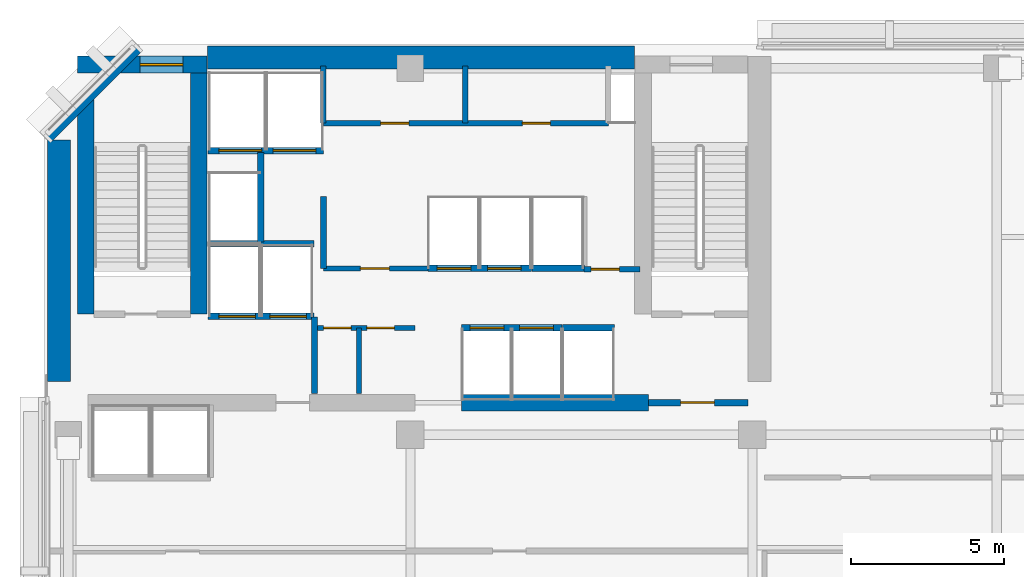
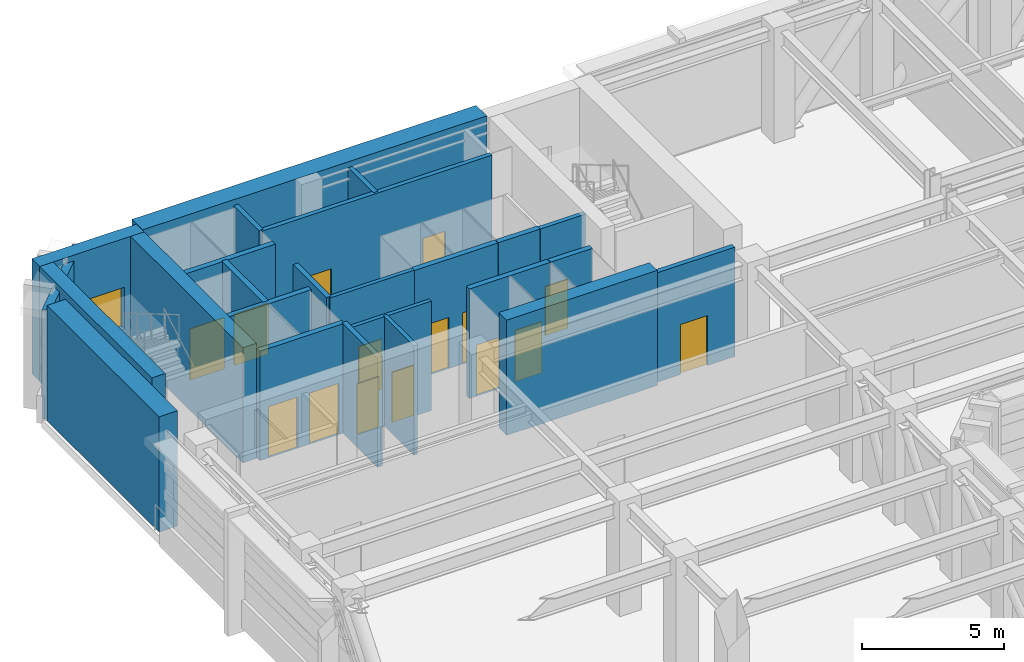
# One storey, part 7 of 12: 25 walls, 15 doors, 1 window, 16 openings.
"""IFC4 building model written with IfcOpenShell, lengths in metres."""

from ifc_helpers import new_model, si_unit, direction, frame, frame_2d, origin, place, context, subcontext, project, spatial, rectangle, extrude, material, layer, layer_set, type_object, element, fill, save


model = new_model("IFC4")

# Units and contexts
model_context = context("Model", 3, precision=1e-05, world=origin(), true_north=direction((0.0, 1.0)))
body_context = subcontext(model_context, "Body", "Model", "MODEL_VIEW")
ifc_project = project(units=[si_unit("LENGTHUNIT", "METRE"), si_unit("AREAUNIT", "SQUARE_METRE"), si_unit("VOLUMEUNIT", "CUBIC_METRE"), si_unit("PLANEANGLEUNIT", "RADIAN"), si_unit("MASSUNIT", "GRAM", prefix="KILO")], contexts=[model_context])

# Site, building, storey
site_placement = place(None, origin())
site = spatial("IfcSite", under=ifc_project, at=site_placement, CompositionType="ELEMENT")
building_placement = place(site_placement, origin())
building = spatial("IfcBuilding", under=site, at=building_placement, Name="Kefirva Bronze Tower", CompositionType="ELEMENT")
storey_placement = place(building_placement, frame((0.0, 0.0, 174.570068359375)))
storey = spatial("IfcBuildingStorey", under=building, at=storey_placement, Name="L42", CompositionType="ELEMENT", Elevation=174.570068359375)

# Wall, openings, doors
ifc_material_1 = material(Name="Gypsum fireboard shaftwall")
ifc_layer_1 = layer(ifc_material_1, 0.219970703125, Name="Gypsum fireboard shaftwall")
ifc_layer_set_1 = layer_set([ifc_layer_1], Name="Gypsum fireboard shaftwall")
wall_type_1 = type_object("IfcWallType", Name="Fire-Rated Shaft Enclosure Wall 220mm", PredefinedType="PARTITIONING", material=ifc_layer_set_1)
wall_1_placement = place(storey_placement, frame((5.3798828125, 37.080078125, 0.0), z_axis=(0.0, 0.0, 1.0), x_axis=(1.0, 0.0, 0.0)))
wall_1 = element("IfcWall", 1, at=wall_1_placement, inside=storey, type_object=wall_type_1, Name="L42 Partition W-L42-FFS", PredefinedType="PARTITIONING", context=body_context, shape_type="SweptSolid", body=[
    extrude(rectangle(XDim=3.460205078125, YDim=0.219970703125, at=frame_2d((1.72998046875, 0.0))), origin(), (0.0, 0.0, 1.0), 4.699951171875),
])
opening_1_placement = place(wall_1_placement, frame((1.550048828125, 0.0, 0.0), z_axis=(0.0, 0.0, 1.0), x_axis=(-1.0, 0.0, 0.0)))
opening_1 = element("IfcOpeningElement", 2, at=opening_1_placement, cuts=wall_1, Name="Opening L42-LD-FF1", PredefinedType="OPENING", context=body_context, shape_type="SweptSolid", body=[
    extrude(rectangle(XDim=1.199951171875, YDim=2.199951171875, at=frame_2d((0.60009765625, 1.10009765625))), frame((0.0, 0.1201171875, 0.0), z_axis=(0.0, -1.0, 0.0), x_axis=(1.0, 0.0, 0.0)), (0.0, 0.0, 1.0), 0.239990234375),
])
opening_2_placement = place(wall_1_placement, frame((3.219970703125, 0.0, 0.0), z_axis=(0.0, 0.0, 1.0), x_axis=(-1.0, 0.0, 0.0)))
opening_2 = element("IfcOpeningElement", 3, at=opening_2_placement, cuts=wall_1, Name="Opening L42-LD-FF2", PredefinedType="OPENING", context=body_context, shape_type="SweptSolid", body=[
    extrude(rectangle(XDim=1.199951171875, YDim=2.199951171875, at=frame_2d((0.60009765625, 1.10009765625))), frame((0.0, 0.1201171875, 0.0), z_axis=(0.0, -1.0, 0.0), x_axis=(1.0, 0.0, 0.0)), (0.0, 0.0, 1.0), 0.239990234375),
])
ifc_material_2 = material(Name="Stainless steel 316", Category="steel")
door_type_1 = type_object("IfcDoorType", Name="Firefighting Lift Sliding Door 1200x2200", OperationType="SLIDING_TO_RIGHT", PredefinedType="DOOR", material=ifc_material_2)
door_1_placement = place(opening_1_placement, origin())
door_1 = element("IfcDoor", 4, at=door_1_placement, inside=storey, type_object=door_type_1, Name="Door L42-LD-FF1", OperationType="SLIDING_TO_RIGHT", OverallHeight=2.199951171875, OverallWidth=1.199951171875, PredefinedType="DOOR", context=body_context, shape_type="SweptSolid", body=[
    extrude(rectangle(XDim=1.199951171875, YDim=2.199951171875, at=frame_2d((0.60009765625, 1.10009765625))), frame((0.0, 0.02490234375, 0.0), z_axis=(0.0, -1.0, 0.0), x_axis=(1.0, 0.0, 0.0)), (0.0, 0.0, 1.0), 0.050048828125),
])
fill(opening_1, door_1)
door_2_placement = place(opening_2_placement, origin())
door_2 = element("IfcDoor", 5, at=door_2_placement, inside=storey, type_object=door_type_1, Name="Door L42-LD-FF2", OperationType="SLIDING_TO_RIGHT", OverallHeight=2.199951171875, OverallWidth=1.199951171875, PredefinedType="DOOR", context=body_context, shape_type="SweptSolid", body=[
    extrude(rectangle(XDim=1.199951171875, YDim=2.199951171875, at=frame_2d((0.60009765625, 1.10009765625))), frame((0.0, 0.02490234375, 0.0), z_axis=(0.0, -1.0, 0.0), x_axis=(1.0, 0.0, 0.0)), (0.0, 0.0, 1.0), 0.050048828125),
])
fill(opening_2, door_2)

# Wall
wall_2_placement = place(storey_placement, frame((5.3798828125, 39.449951171875, 0.0), z_axis=(0.0, 0.0, 1.0), x_axis=(1.0, 0.0, 0.0)))
element("IfcWall", 6, at=wall_2_placement, inside=storey, type_object=wall_type_1, Name="L42 Partition W-L42-FFN", PredefinedType="PARTITIONING", context=body_context, shape_type="SweptSolid", body=[
    extrude(rectangle(XDim=3.460205078125, YDim=0.219970703125, at=frame_2d((1.72998046875, 0.0))), origin(), (0.0, 0.0, 1.0), 4.699951171875),
])

# Wall, openings, doors
wall_3_placement = place(storey_placement, frame((5.3798828125, 42.5, 0.0), z_axis=(0.0, 0.0, 1.0), x_axis=(1.0, 0.0, 0.0)))
wall_3 = element("IfcWall", 7, at=wall_3_placement, inside=storey, type_object=wall_type_1, Name="L42 Partition W-L42-SVS", PredefinedType="PARTITIONING", context=body_context, shape_type="SweptSolid", body=[
    extrude(rectangle(XDim=3.77001953125, YDim=0.219970703125, at=frame_2d((1.885009765625, 0.0))), origin(), (0.0, 0.0, 1.0), 4.699951171875),
])
opening_3_placement = place(wall_3_placement, frame((1.75, 0.0, 0.0), z_axis=(0.0, 0.0, 1.0), x_axis=(-1.0, 0.0, 0.0)))
opening_3 = element("IfcOpeningElement", 8, at=opening_3_placement, cuts=wall_3, Name="Opening L42-LD-SV1", PredefinedType="OPENING", context=body_context, shape_type="SweptSolid", body=[
    extrude(rectangle(XDim=1.39990234375, YDim=2.199951171875, at=frame_2d((0.699951171875, 1.10009765625))), frame((0.0, 0.1201171875, 0.0), z_axis=(0.0, -1.0, 0.0), x_axis=(1.0, 0.0, 0.0)), (0.0, 0.0, 1.0), 0.239990234375),
])
opening_4_placement = place(wall_3_placement, frame((3.52978515625, 0.0, 0.0), z_axis=(0.0, 0.0, 1.0), x_axis=(-1.0, 0.0, 0.0)))
opening_4 = element("IfcOpeningElement", 9, at=opening_4_placement, cuts=wall_3, Name="Opening L42-LD-SV2", PredefinedType="OPENING", context=body_context, shape_type="SweptSolid", body=[
    extrude(rectangle(XDim=1.39990234375, YDim=2.199951171875, at=frame_2d((0.699951171875, 1.10009765625))), frame((0.0, 0.1201171875, 0.0), z_axis=(0.0, -1.0, 0.0), x_axis=(1.0, 0.0, 0.0)), (0.0, 0.0, 1.0), 0.239990234375),
])
door_type_2 = type_object("IfcDoorType", Name="Goods Lift Bi-Parting Sliding Door 1400x2200", OperationType="SLIDING_TO_LEFT", PredefinedType="DOOR", material=ifc_material_2)
door_3_placement = place(opening_3_placement, origin())
door_3 = element("IfcDoor", 10, at=door_3_placement, inside=storey, type_object=door_type_2, Name="Door L42-LD-SV1", OperationType="SLIDING_TO_LEFT", OverallHeight=2.199951171875, OverallWidth=1.39990234375, PredefinedType="DOOR", context=body_context, shape_type="SweptSolid", body=[
    extrude(rectangle(XDim=1.39990234375, YDim=2.199951171875, at=frame_2d((0.699951171875, 1.10009765625))), frame((0.0, 0.02490234375, 0.0), z_axis=(0.0, -1.0, 0.0), x_axis=(1.0, 0.0, 0.0)), (0.0, 0.0, 1.0), 0.050048828125),
])
fill(opening_3, door_3)
door_4_placement = place(opening_4_placement, origin())
door_4 = element("IfcDoor", 11, at=door_4_placement, inside=storey, type_object=door_type_2, Name="Door L42-LD-SV2", OperationType="SLIDING_TO_LEFT", OverallHeight=2.199951171875, OverallWidth=1.39990234375, PredefinedType="DOOR", context=body_context, shape_type="SweptSolid", body=[
    extrude(rectangle(XDim=1.39990234375, YDim=2.199951171875, at=frame_2d((0.699951171875, 1.10009765625))), frame((0.0, 0.02490234375, 0.0), z_axis=(0.0, -1.0, 0.0), x_axis=(1.0, 0.0, 0.0)), (0.0, 0.0, 1.0), 0.050048828125),
])
fill(opening_4, door_4)

# Walls
wall_4_placement = place(storey_placement, frame((7.10009765625, 39.52001953125, 0.0), z_axis=(0.0, 0.0, 1.0), x_axis=(0.0, 1.0, 0.0)))
element("IfcWall", 12, at=wall_4_placement, inside=storey, type_object=wall_type_1, Name="L42 Partition W-L42-HP3E", PredefinedType="PARTITIONING", context=body_context, shape_type="SweptSolid", body=[
    extrude(rectangle(XDim=2.929931640625, YDim=0.219970703125, at=frame_2d((1.46484375, 0.0))), origin(), (0.0, 0.0, 1.0), 4.699951171875),
])
wall_5_placement = place(storey_placement, frame((9.159912109375, 38.64990234375, 0.0), z_axis=(0.0, 0.0, 1.0), x_axis=(0.0, 1.0, 0.0)))
element("IfcWall", 13, at=wall_5_placement, inside=storey, type_object=wall_type_1, Name="L42 Partition W-L42-LP3W", PredefinedType="PARTITIONING", context=body_context, shape_type="SweptSolid", body=[
    extrude(rectangle(XDim=2.35009765625, YDim=0.199951171875, at=frame_2d((1.175048828125, 0.0))), origin(), (0.0, 0.0, 1.0), 4.699951171875),
])

# Wall, openings, doors
wall_6_placement = place(storey_placement, frame((13.679931640625, 36.699951171875, 0.0), z_axis=(0.0, 0.0, 1.0), x_axis=(1.0, 0.0, 0.0)))
wall_6 = element("IfcWall", 14, at=wall_6_placement, inside=storey, type_object=wall_type_1, Name="L42 Partition W-L42-MPS", PredefinedType="PARTITIONING", context=body_context, shape_type="SweptSolid", body=[
    extrude(rectangle(XDim=3.280029296875, YDim=0.219970703125, at=frame_2d((1.64013671875, 0.0))), origin(), (0.0, 0.0, 1.0), 4.699951171875),
])
opening_5_placement = place(wall_6_placement, frame((0.280029296875, 0.0, 0.0)))
opening_5 = element("IfcOpeningElement", 15, at=opening_5_placement, cuts=wall_6, Name="Opening L42-LD-MP1", PredefinedType="OPENING", context=body_context, shape_type="SweptSolid", body=[
    extrude(rectangle(XDim=1.10009765625, YDim=2.199951171875, at=frame_2d((0.550048828125, 1.10009765625))), frame((0.0, 0.1201171875, 0.0), z_axis=(0.0, -1.0, 0.0), x_axis=(1.0, 0.0, 0.0)), (0.0, 0.0, 1.0), 0.239990234375),
])
opening_6_placement = place(wall_6_placement, frame((1.89990234375, 0.0, 0.0)))
opening_6 = element("IfcOpeningElement", 16, at=opening_6_placement, cuts=wall_6, Name="Opening L42-LD-MP2", PredefinedType="OPENING", context=body_context, shape_type="SweptSolid", body=[
    extrude(rectangle(XDim=1.10009765625, YDim=2.199951171875, at=frame_2d((0.550048828125, 1.10009765625))), frame((0.0, 0.1201171875, 0.0), z_axis=(0.0, -1.0, 0.0), x_axis=(1.0, 0.0, 0.0)), (0.0, 0.0, 1.0), 0.239990234375),
])
door_type_3 = type_object("IfcDoorType", Name="Passenger Lift Sliding Landing Door 1100x2200", OperationType="SLIDING_TO_LEFT", PredefinedType="DOOR", material=ifc_material_2)
door_5_placement = place(opening_5_placement, origin())
door_5 = element("IfcDoor", 17, at=door_5_placement, inside=storey, type_object=door_type_3, Name="Door L42-LD-MP1", OperationType="SLIDING_TO_RIGHT", OverallHeight=2.199951171875, OverallWidth=1.10009765625, PredefinedType="DOOR", context=body_context, shape_type="SweptSolid", body=[
    extrude(rectangle(XDim=1.10009765625, YDim=2.199951171875, at=frame_2d((0.550048828125, 1.10009765625))), frame((0.0, 0.02490234375, 0.0), z_axis=(0.0, -1.0, 0.0), x_axis=(1.0, 0.0, 0.0)), (0.0, 0.0, 1.0), 0.050048828125),
])
fill(opening_5, door_5)
door_6_placement = place(opening_6_placement, origin())
door_6 = element("IfcDoor", 18, at=door_6_placement, inside=storey, type_object=door_type_3, Name="Door L42-LD-MP2", OperationType="SLIDING_TO_RIGHT", OverallHeight=2.199951171875, OverallWidth=1.10009765625, PredefinedType="DOOR", context=body_context, shape_type="SweptSolid", body=[
    extrude(rectangle(XDim=1.10009765625, YDim=2.199951171875, at=frame_2d((0.550048828125, 1.10009765625))), frame((0.0, 0.02490234375, 0.0), z_axis=(0.0, -1.0, 0.0), x_axis=(1.0, 0.0, 0.0)), (0.0, 0.0, 1.0), 0.050048828125),
])
fill(opening_6, door_6)

wall_7_placement = place(storey_placement, frame((12.580078125, 38.64990234375, 0.0), z_axis=(0.0, 0.0, 1.0), x_axis=(1.0, 0.0, 0.0)))
wall_7 = element("IfcWall", 19, at=wall_7_placement, inside=storey, type_object=wall_type_1, Name="L42 Partition W-L42-MPN", PredefinedType="PARTITIONING", context=body_context, shape_type="SweptSolid", body=[
    extrude(rectangle(XDim=3.3798828125, YDim=0.219970703125, at=frame_2d((1.68994140625, 0.0))), origin(), (0.0, 0.0, 1.0), 4.699951171875),
])
opening_7_placement = place(wall_7_placement, frame((0.300048828125, 0.0, 0.0)))
opening_7 = element("IfcOpeningElement", 20, at=opening_7_placement, cuts=wall_7, Name="Opening L42-LD-MP3", PredefinedType="OPENING", context=body_context, shape_type="SweptSolid", body=[
    extrude(rectangle(XDim=1.10009765625, YDim=2.199951171875, at=frame_2d((0.550048828125, 1.10009765625))), frame((0.0, 0.1201171875, 0.0), z_axis=(0.0, -1.0, 0.0), x_axis=(1.0, 0.0, 0.0)), (0.0, 0.0, 1.0), 0.239990234375),
])
opening_8_placement = place(wall_7_placement, frame((1.949951171875, 0.0, 0.0)))
opening_8 = element("IfcOpeningElement", 21, at=opening_8_placement, cuts=wall_7, Name="Opening L42-LD-MP4", PredefinedType="OPENING", context=body_context, shape_type="SweptSolid", body=[
    extrude(rectangle(XDim=1.10009765625, YDim=2.199951171875, at=frame_2d((0.550048828125, 1.10009765625))), frame((0.0, 0.1201171875, 0.0), z_axis=(0.0, -1.0, 0.0), x_axis=(1.0, 0.0, 0.0)), (0.0, 0.0, 1.0), 0.239990234375),
])
door_7_placement = place(opening_7_placement, origin())
door_7 = element("IfcDoor", 22, at=door_7_placement, inside=storey, type_object=door_type_3, Name="Door L42-LD-MP3", OperationType="SLIDING_TO_RIGHT", OverallHeight=2.199951171875, OverallWidth=1.10009765625, PredefinedType="DOOR", context=body_context, shape_type="SweptSolid", body=[
    extrude(rectangle(XDim=1.10009765625, YDim=2.199951171875, at=frame_2d((0.550048828125, 1.10009765625))), frame((0.0, 0.02490234375, 0.0), z_axis=(0.0, -1.0, 0.0), x_axis=(1.0, 0.0, 0.0)), (0.0, 0.0, 1.0), 0.050048828125),
])
fill(opening_7, door_7)
door_8_placement = place(opening_8_placement, origin())
door_8 = element("IfcDoor", 23, at=door_8_placement, inside=storey, type_object=door_type_3, Name="Door L42-LD-MP4", OperationType="SLIDING_TO_RIGHT", OverallHeight=2.199951171875, OverallWidth=1.10009765625, PredefinedType="DOOR", context=body_context, shape_type="SweptSolid", body=[
    extrude(rectangle(XDim=1.10009765625, YDim=2.199951171875, at=frame_2d((0.550048828125, 1.10009765625))), frame((0.0, 0.02490234375, 0.0), z_axis=(0.0, -1.0, 0.0), x_axis=(1.0, 0.0, 0.0)), (0.0, 0.0, 1.0), 0.050048828125),
])
fill(opening_8, door_8)

# Walls
wall_8_placement = place(storey_placement, frame((16.97998046875, 36.699951171875, 0.0), z_axis=(0.0, 0.0, 1.0), x_axis=(1.0, 0.0, 0.0)))
element("IfcWall", 24, at=wall_8_placement, inside=storey, type_object=wall_type_1, Name="L42 Partition W-L42-HPS", PredefinedType="PARTITIONING", context=body_context, shape_type="SweptSolid", body=[
    extrude(rectangle(XDim=1.699951171875, YDim=0.219970703125, at=frame_2d((0.85009765625, 0.0))), origin(), (0.0, 0.0, 1.0), 4.699951171875),
])
wall_9_placement = place(storey_placement, frame((15.97998046875, 38.64990234375, 0.0), z_axis=(0.0, 0.0, 1.0), x_axis=(1.0, 0.0, 0.0)))
element("IfcWall", 25, at=wall_9_placement, inside=storey, type_object=wall_type_1, Name="L42 Partition W-L42-HPN", PredefinedType="PARTITIONING", context=body_context, shape_type="SweptSolid", body=[
    extrude(rectangle(XDim=1.719970703125, YDim=0.219970703125, at=frame_2d((0.85986328125, 0.0))), origin(), (0.0, 0.0, 1.0), 4.699951171875),
])
ifc_material_3 = material(Name="Gypsum fireboard barrier")
ifc_layer_2 = layer(ifc_material_3, 0.199951171875, Name="Gypsum fireboard barrier")
ifc_layer_set_2 = layer_set([ifc_layer_2], Name="Gypsum fireboard barrier")
wall_type_2 = type_object("IfcWallType", Name="Firefighting Lobby Barrier Wall 200mm", PredefinedType="PARTITIONING", material=ifc_layer_set_2)
wall_10_placement = place(storey_placement, frame((8.860107421875, 34.550048828125, 0.0), z_axis=(0.0, 0.0, 1.0), x_axis=(0.0, 1.0, 0.0)))
element("IfcWall", 26, at=wall_10_placement, inside=storey, type_object=wall_type_2, Name="L42 Partition W-L42-FFLE", PredefinedType="PARTITIONING", context=body_context, shape_type="SweptSolid", body=[
    extrude(rectangle(XDim=2.5, YDim=0.199951171875, at=frame_2d((1.25, 0.0))), origin(), (0.0, 0.0, 1.0), 4.699951171875),
])

# Wall, opening, door
wall_11_placement = place(storey_placement, frame((19.800048828125, 34.25, 0.0), z_axis=(0.0, 0.0, 1.0), x_axis=(1.0, 0.0, 0.0)))
wall_11 = element("IfcWall", 27, at=wall_11_placement, inside=storey, type_object=wall_type_2, Name="L42 Partition W-L42-ST2F", PredefinedType="PARTITIONING", context=body_context, shape_type="SweptSolid", body=[
    extrude(rectangle(XDim=3.25, YDim=0.199951171875, at=frame_2d((1.625, 0.0))), origin(), (0.0, 0.0, 1.0), 4.699951171875),
])
opening_9_placement = place(wall_11_placement, frame((2.150146484375, 0.0, 0.0), z_axis=(0.0, 0.0, 1.0), x_axis=(-1.0, 0.0, 0.0)))
opening_9 = element("IfcOpeningElement", 28, at=opening_9_placement, cuts=wall_11, Name="Opening L42-D004", PredefinedType="OPENING", context=body_context, shape_type="SweptSolid", body=[
    extrude(rectangle(XDim=1.10009765625, YDim=2.14990234375, at=frame_2d((0.550048828125, 1.074951171875))), frame((0.0, 0.10986328125, 0.0), z_axis=(0.0, -1.0, 0.0), x_axis=(1.0, 0.0, 0.0)), (0.0, 0.0, 1.0), 0.219970703125),
])
ifc_material_4 = material(Name="Painted galvanized steel", Category="steel")
door_type_4 = type_object("IfcDoorType", Name="Firefighting Lobby Smoke Door 1100x2150 FD60S", OperationType="NOTDEFINED", PredefinedType="DOOR", material=ifc_material_4)
door_9_placement = place(opening_9_placement, origin())
door_9 = element("IfcDoor", 29, at=door_9_placement, inside=storey, type_object=door_type_4, Name="Door L42-D004", OperationType="SINGLE_SWING_LEFT", OverallHeight=2.14990234375, OverallWidth=1.10009765625, PredefinedType="DOOR", context=body_context, shape_type="SweptSolid", body=[
    extrude(rectangle(XDim=1.10009765625, YDim=2.14990234375, at=frame_2d((0.550048828125, 1.074951171875))), frame((0.0, 0.02490234375, 0.0), z_axis=(0.0, -1.0, 0.0), x_axis=(1.0, 0.0, 0.0)), (0.0, 0.0, 1.0), 0.050048828125),
])
fill(opening_9, door_9)

wall_12_placement = place(storey_placement, frame((17.679931640625, 38.6201171875, 0.0), z_axis=(0.0, 0.0, 1.0), x_axis=(1.0, 0.0, 0.0)))
wall_12 = element("IfcWall", 30, at=wall_12_placement, inside=storey, type_object=wall_type_2, Name="L42 Partition W-L42-CPASS", PredefinedType="PARTITIONING", context=body_context, shape_type="SweptSolid", body=[
    extrude(rectangle(XDim=1.840087890625, YDim=0.179931640625, at=frame_2d((0.919921875, 0.0))), origin(), (0.0, 0.0, 1.0), 4.699951171875),
])
opening_10_placement = place(wall_12_placement, frame((0.239990234375, 0.0, 0.0)))
opening_10 = element("IfcOpeningElement", 31, at=opening_10_placement, cuts=wall_12, Name="Opening L42-D-CPAS", PredefinedType="OPENING", context=body_context, shape_type="SweptSolid", body=[
    extrude(rectangle(XDim=0.919921875, YDim=2.10009765625, at=frame_2d((0.4599609375, 1.050048828125))), frame((0.0, 0.10009765625, 0.0), z_axis=(0.0, -1.0, 0.0), x_axis=(1.0, 0.0, 0.0)), (0.0, 0.0, 1.0), 0.199951171875),
])
ifc_material_5 = material(Name="Moisture-resistant timber", Category="wood")
door_type_5 = type_object("IfcDoorType", Name="Accessible Sanitary & WC Door 920x2100", OperationType="NOTDEFINED", PredefinedType="DOOR", material=ifc_material_5)
door_10_placement = place(opening_10_placement, origin())
door_10 = element("IfcDoor", 32, at=door_10_placement, inside=storey, type_object=door_type_5, Name="Door L42-D-CPAS", OperationType="SINGLE_SWING_RIGHT", OverallHeight=2.10009765625, OverallWidth=0.919921875, PredefinedType="DOOR", context=body_context, shape_type="SweptSolid", body=[
    extrude(rectangle(XDim=0.919921875, YDim=2.10009765625, at=frame_2d((0.4599609375, 1.050048828125))), frame((0.0, 0.02490234375, 0.0), z_axis=(0.0, -1.0, 0.0), x_axis=(1.0, 0.0, 0.0)), (0.0, 0.0, 1.0), 0.050048828125),
])
fill(opening_10, door_10)

# Wall
ifc_material_6 = material(Name="Precast concrete C40/50", Category="concrete")
ifc_layer_3 = layer(ifc_material_6, 0.320068359375, Name="Precast concrete C40/50")
ifc_layer_set_3 = layer_set([ifc_layer_3], Name="Precast concrete C40/50")
wall_type_3 = type_object("IfcWallType", Name="Precast Insulated Exterior Wall 320mm", PredefinedType="SOLIDWALL", material=ifc_layer_set_3)
wall_13_placement = place(storey_placement, frame((3.07421875, 45.847900390625, 0.0), z_axis=(0.0, 0.0, 1.0), x_axis=(-0.707106781187, -0.707106781187, 0.0)))
element("IfcWall", 33, at=wall_13_placement, inside=storey, type_object=wall_type_3, Name="L42 Exterior Facade Wall 5", PredefinedType="SOLIDWALL", context=body_context, shape_type="SweptSolid", body=[
    extrude(rectangle(XDim=4.132568359375, YDim=0.320068359375, at=frame_2d((2.06640625, 0.0))), origin(), (0.0, 0.0, 1.0), 4.699951171875),
])

# Wall, openings, doors
ifc_material_7 = material(Name="Gypsum acoustic partition")
ifc_layer_4 = layer(ifc_material_7, 0.159912109375, Name="Gypsum acoustic partition")
ifc_layer_set_4 = layer_set([ifc_layer_4], Name="Gypsum acoustic partition")
wall_type_4 = type_object("IfcWallType", Name="Protected Corridor Partition 160mm", PredefinedType="PARTITIONING", material=ifc_layer_set_4)
wall_14_placement = place(storey_placement, frame((8.89990234375, 36.699951171875, 0.0), z_axis=(0.0, 0.0, 1.0), x_axis=(1.0, 0.0, 0.0)))
wall_14 = element("IfcWall", 34, at=wall_14_placement, inside=storey, type_object=wall_type_4, Name="L42 Partition W-L42-RECLP1", PredefinedType="PARTITIONING", context=body_context, shape_type="SweptSolid", body=[
    extrude(rectangle(XDim=3.25, YDim=0.159912109375, at=frame_2d((1.625, 0.0))), origin(), (0.0, 0.0, 1.0), 4.699951171875),
])
opening_11_placement = place(wall_14_placement, frame((0.260009765625, 0.0, 0.0)))
opening_11 = element("IfcOpeningElement", 35, at=opening_11_placement, cuts=wall_14, Name="Opening L42-D-RECLP1A", PredefinedType="OPENING", context=body_context, shape_type="SweptSolid", body=[
    extrude(rectangle(XDim=0.89990234375, YDim=2.14990234375, at=frame_2d((0.449951171875, 1.074951171875))), frame((0.0, 0.08984375, 0.0), z_axis=(0.0, -1.0, 0.0), x_axis=(1.0, 0.0, 0.0)), (0.0, 0.0, 1.0), 0.179931640625),
])
opening_12_placement = place(wall_14_placement, frame((1.679931640625, 0.0, 0.0)))
opening_12 = element("IfcOpeningElement", 36, at=opening_12_placement, cuts=wall_14, Name="Opening L42-D-RECLP1B", PredefinedType="OPENING", context=body_context, shape_type="SweptSolid", body=[
    extrude(rectangle(XDim=0.89990234375, YDim=2.14990234375, at=frame_2d((0.449951171875, 1.074951171875))), frame((0.0, 0.08984375, 0.0), z_axis=(0.0, -1.0, 0.0), x_axis=(1.0, 0.0, 0.0)), (0.0, 0.0, 1.0), 0.179931640625),
])
door_type_6 = type_object("IfcDoorType", Name="Core Archive & Server Fire Door 900x2150 FD60S", OperationType="NOTDEFINED", PredefinedType="DOOR", material=ifc_material_4)
door_11_placement = place(opening_11_placement, origin())
door_11 = element("IfcDoor", 37, at=door_11_placement, inside=storey, type_object=door_type_6, Name="Door L42-D-RECLP1A", OperationType="SINGLE_SWING_LEFT", OverallHeight=2.14990234375, OverallWidth=0.89990234375, PredefinedType="DOOR", context=body_context, shape_type="SweptSolid", body=[
    extrude(rectangle(XDim=0.89990234375, YDim=2.14990234375, at=frame_2d((0.449951171875, 1.074951171875))), frame((0.0, 0.02490234375, 0.0), z_axis=(0.0, -1.0, 0.0), x_axis=(1.0, 0.0, 0.0)), (0.0, 0.0, 1.0), 0.050048828125),
])
fill(opening_11, door_11)
door_12_placement = place(opening_12_placement, origin())
door_12 = element("IfcDoor", 38, at=door_12_placement, inside=storey, type_object=door_type_6, Name="Door L42-D-RECLP1B", OperationType="SINGLE_SWING_RIGHT", OverallHeight=2.14990234375, OverallWidth=0.89990234375, PredefinedType="DOOR", context=body_context, shape_type="SweptSolid", body=[
    extrude(rectangle(XDim=0.89990234375, YDim=2.14990234375, at=frame_2d((0.449951171875, 1.074951171875))), frame((0.0, 0.02490234375, 0.0), z_axis=(0.0, -1.0, 0.0), x_axis=(1.0, 0.0, 0.0)), (0.0, 0.0, 1.0), 0.050048828125),
])
fill(opening_12, door_12)

# Wall
wall_15_placement = place(storey_placement, frame((10.320068359375, 34.550048828125, 0.0), z_axis=(0.0, 0.0, 1.0), x_axis=(0.0, 1.0, 0.0)))
element("IfcWall", 39, at=wall_15_placement, inside=storey, type_object=wall_type_4, Name="L42 Partition W-L42-RECLP1D", PredefinedType="PARTITIONING", context=body_context, shape_type="SweptSolid", body=[
    extrude(rectangle(XDim=2.14990234375, YDim=0.159912109375, at=frame_2d((1.074951171875, 0.0))), origin(), (0.0, 0.0, 1.0), 4.699951171875),
])

# Wall, opening, door
wall_16_placement = place(storey_placement, frame((9.159912109375, 38.64990234375, 0.0), z_axis=(0.0, 0.0, 1.0), x_axis=(1.0, 0.0, 0.0)))
wall_16 = element("IfcWall", 40, at=wall_16_placement, inside=storey, type_object=wall_type_4, Name="L42 Partition W-L42-RECLP2", PredefinedType="PARTITIONING", context=body_context, shape_type="SweptSolid", body=[
    extrude(rectangle(XDim=3.420166015625, YDim=0.159912109375, at=frame_2d((1.7099609375, 0.0))), origin(), (0.0, 0.0, 1.0), 4.699951171875),
])
opening_13_placement = place(wall_16_placement, frame((2.14990234375, 0.0, 0.0), z_axis=(0.0, 0.0, 1.0), x_axis=(-1.0, 0.0, 0.0)))
opening_13 = element("IfcOpeningElement", 41, at=opening_13_placement, cuts=wall_16, Name="Opening L42-D-RECLP2", PredefinedType="OPENING", context=body_context, shape_type="SweptSolid", body=[
    extrude(rectangle(XDim=0.949951171875, YDim=2.14990234375, at=frame_2d((0.47509765625, 1.074951171875))), frame((0.0, 0.08984375, 0.0), z_axis=(0.0, -1.0, 0.0), x_axis=(1.0, 0.0, 0.0)), (0.0, 0.0, 1.0), 0.179931640625),
])
ifc_material_8 = material(Name="Acoustic hardwood oak", Category="wood")
door_type_7 = type_object("IfcDoorType", Name="Office & Meeting Room Door 950x2150", OperationType="NOTDEFINED", PredefinedType="DOOR", material=ifc_material_8)
door_13_placement = place(opening_13_placement, origin())
door_13 = element("IfcDoor", 42, at=door_13_placement, inside=storey, type_object=door_type_7, Name="Door L42-D-RECLP2", OperationType="SINGLE_SWING_LEFT", OverallHeight=2.14990234375, OverallWidth=0.949951171875, PredefinedType="DOOR", context=body_context, shape_type="SweptSolid", body=[
    extrude(rectangle(XDim=0.949951171875, YDim=2.14990234375, at=frame_2d((0.47509765625, 1.074951171875))), frame((0.0, 0.02490234375, 0.0), z_axis=(0.0, -1.0, 0.0), x_axis=(1.0, 0.0, 0.0)), (0.0, 0.0, 1.0), 0.050048828125),
])
fill(opening_13, door_13)

# Wall, opening, window
ifc_material_9 = material(Name="Concrete C50/60", Category="concrete")
ifc_layer_5 = layer(ifc_material_9, 0.550048828125, Name="Concrete C50/60")
ifc_layer_set_5 = layer_set([ifc_layer_5], Name="Concrete C50/60")
wall_type_5 = type_object("IfcWallType", Name="RC Rear Core Exterior Wall 550mm", PredefinedType="SHEAR", material=ifc_layer_set_5)
wall_17_placement = place(storey_placement, frame((1.10009765625, 45.320068359375, 0.0), z_axis=(0.0, 0.0, 1.0), x_axis=(1.0, 0.0, 0.0)))
wall_17 = element("IfcWall", 43, at=wall_17_placement, inside=storey, type_object=wall_type_5, Name="L42 Stair 1 North Shear Wall", PredefinedType="SHEAR", context=body_context, shape_type="SweptSolid", body=[
    extrude(rectangle(XDim=4.239990234375, YDim=0.550048828125, at=frame_2d((2.1201171875, 0.0))), origin(), (0.0, 0.0, 1.0), 4.949951171875),
])
opening_14_placement = place(wall_17_placement, frame((2.050048828125, 0.0, 1.050048828125)))
opening_14 = element("IfcOpeningElement", 44, at=opening_14_placement, cuts=wall_17, Name="Opening WN-03", PredefinedType="OPENING", context=body_context, shape_type="SweptSolid", body=[
    extrude(rectangle(XDim=1.39990234375, YDim=1.800048828125, at=frame_2d((0.699951171875, 0.89990234375))), frame((0.0, 0.28515625, 0.0), z_axis=(0.0, -1.0, 0.0), x_axis=(1.0, 0.0, 0.0)), (0.0, 0.0, 1.0), 0.570068359375),
])
ifc_material_10 = material(Name="Laminated low-E double glazing", Category="glass")
window_type = type_object("IfcWindowType", Name="Rear-Core Stair Daylight Window 1400x1800", PartitioningType="SINGLE_PANEL", PredefinedType="WINDOW", material=ifc_material_10)
window_placement = place(opening_14_placement, origin())
window = element("IfcWindow", 45, at=window_placement, inside=storey, type_object=window_type, Name="L42 Stair 1 Daylight Window", OverallHeight=1.800048828125, OverallWidth=1.39990234375, PartitioningType="SINGLE_PANEL", PredefinedType="WINDOW", context=body_context, shape_type="SweptSolid", body=[
    extrude(rectangle(XDim=1.39990234375, YDim=1.800048828125, at=frame_2d((0.699951171875, 0.89990234375))), frame((0.0, 0.030029296875, 0.0), z_axis=(0.0, -1.0, 0.0), x_axis=(1.0, 0.0, 0.0)), (0.0, 0.0, 1.0), 0.06005859375),
])
fill(opening_14, window)

# Walls
ifc_material_11 = material(Name="Concrete C60/75", Category="concrete")
ifc_layer_6 = layer(ifc_material_11, 0.75, Name="Concrete C60/75")
ifc_layer_set_6 = layer_set([ifc_layer_6], Name="Concrete C60/75")
wall_type_6 = type_object("IfcWallType", Name="RC Rear Core Exterior Wall 750mm", PredefinedType="SHEAR", material=ifc_layer_set_6)
wall_18_placement = place(storey_placement, frame((5.360107421875, 45.550048828125, 0.0), z_axis=(0.0, 0.0, 1.0), x_axis=(1.0, 0.0, 0.0)))
element("IfcWall", 46, at=wall_18_placement, inside=storey, type_object=wall_type_6, Name="L42 Rear Core North Shear Wall", PredefinedType="SHEAR", context=body_context, shape_type="SweptSolid", body=[
    extrude(rectangle(XDim=13.97998046875, YDim=0.75, at=frame_2d((6.989990234375, 0.0))), origin(), (0.0, 0.0, 1.0), 4.949951171875),
])
wall_19_placement = place(storey_placement, frame((0.5, 34.949951171875, 0.0), z_axis=(0.0, 0.0, 1.0), x_axis=(0.0, 1.0, 0.0)))
element("IfcWall", 47, at=wall_19_placement, inside=storey, type_object=wall_type_6, Name="L42 Rear Core West Shear Wall", PredefinedType="SHEAR", context=body_context, shape_type="SweptSolid", body=[
    extrude(rectangle(XDim=7.900146484375, YDim=0.75, at=frame_2d((3.9501953125, 0.0))), origin(), (0.0, 0.0, 1.0), 4.949951171875),
])
ifc_layer_7 = layer(ifc_material_9, 0.550048828125, Name="Concrete C50/60")
ifc_layer_set_7 = layer_set([ifc_layer_7], Name="Concrete C50/60")
wall_type_7 = type_object("IfcWallType", Name="RC Rear Core Interior Wall 550mm", PredefinedType="SHEAR", material=ifc_layer_set_7)
for number, where, z_axis, x_axis, name in (
    (48, (1.3701171875, 37.14990234375, 0.0), (0.0, 0.0, 1.0), (0.0, 1.0, 0.0), "L42 Stair 1 West Shear Wall"),
    (49, (5.070068359375, 37.14990234375, 0.0), (0.0, 0.0, 1.0), (0.0, 1.0, 0.0), "L42 Stair 1 East Shear Wall"),
):
    element("IfcWall", number, at=place(storey_placement, frame(where, z_axis=z_axis, x_axis=x_axis)), inside=storey, type_object=wall_type_7, Name=name, PredefinedType="SHEAR", context=body_context, shape_type="SweptSolid", body=[
        extrude(rectangle(XDim=7.89013671875, YDim=0.550048828125, at=frame_2d((3.945068359375, 0.0))), origin(), (0.0, 0.0, 1.0), 4.949951171875),
    ])
ifc_layer_8 = layer(ifc_material_11, 0.75, Name="Concrete C60/75")
ifc_layer_set_8 = layer_set([ifc_layer_8], Name="Concrete C60/75")
wall_type_8 = type_object("IfcWallType", Name="RC Rear Core Interior Wall 750mm", PredefinedType="SHEAR", material=ifc_layer_set_8)
wall_20_placement = place(storey_placement, frame((13.679931640625, 34.25, 0.0), z_axis=(0.0, 0.0, 1.0), x_axis=(1.0, 0.0, 0.0)))
element("IfcWall", 50, at=wall_20_placement, inside=storey, type_object=wall_type_8, Name="L42 Rear Core South-East Shear Wall", PredefinedType="SHEAR", context=body_context, shape_type="SweptSolid", body=[
    extrude(rectangle(XDim=6.1201171875, YDim=0.550048828125, at=frame_2d((3.06005859375, 0.0))), origin(), (0.0, 0.0, 1.0), 4.949951171875),
])

# Wall, openings, doors
ifc_material_12 = material(Name="Moisture-resistant partition")
ifc_layer_9 = layer(ifc_material_12, 0.179931640625, Name="Moisture-resistant partition")
ifc_layer_set_9 = layer_set([ifc_layer_9], Name="Moisture-resistant partition")
wall_type_9 = type_object("IfcWallType", Name="Sanitary Plumbing Chase Wall 180mm", PredefinedType="PLUMBINGWALL", material=ifc_layer_set_9)
wall_21_placement = place(storey_placement, frame((9.14990234375, 43.39990234375, 0.0), z_axis=(0.0, 0.0, 1.0), x_axis=(1.0, 0.0, 0.0)))
wall_21 = element("IfcWall", 51, at=wall_21_placement, inside=storey, type_object=wall_type_9, Name="L42 Partition W-L42-SVCS", PredefinedType="PLUMBINGWALL", context=body_context, shape_type="SweptSolid", body=[
    extrude(rectangle(XDim=9.330078125, YDim=0.179931640625, at=frame_2d((4.6650390625, 0.0))), origin(), (0.0, 0.0, 1.0), 4.699951171875),
])
opening_15_placement = place(wall_21_placement, frame((1.8798828125, 0.0, 0.0)))
opening_15 = element("IfcOpeningElement", 52, at=opening_15_placement, cuts=wall_21, Name="Opening L42-D-CSVC1", PredefinedType="OPENING", context=body_context, shape_type="SweptSolid", body=[
    extrude(rectangle(XDim=0.919921875, YDim=2.10009765625, at=frame_2d((0.4599609375, 1.050048828125))), frame((0.0, 0.10009765625, 0.0), z_axis=(0.0, -1.0, 0.0), x_axis=(1.0, 0.0, 0.0)), (0.0, 0.0, 1.0), 0.199951171875),
])
opening_16_placement = place(wall_21_placement, frame((6.514892578125, 0.0, 0.0)))
opening_16 = element("IfcOpeningElement", 53, at=opening_16_placement, cuts=wall_21, Name="Opening L42-D-CSVC2", PredefinedType="OPENING", context=body_context, shape_type="SweptSolid", body=[
    extrude(rectangle(XDim=0.919921875, YDim=2.10009765625, at=frame_2d((0.4599609375, 1.050048828125))), frame((0.0, 0.10009765625, 0.0), z_axis=(0.0, -1.0, 0.0), x_axis=(1.0, 0.0, 0.0)), (0.0, 0.0, 1.0), 0.199951171875),
])
door_14_placement = place(opening_15_placement, origin())
door_14 = element("IfcDoor", 54, at=door_14_placement, inside=storey, type_object=door_type_5, Name="Door L42-D-CSVC1", OperationType="SINGLE_SWING_RIGHT", OverallHeight=2.10009765625, OverallWidth=0.919921875, PredefinedType="DOOR", context=body_context, shape_type="SweptSolid", body=[
    extrude(rectangle(XDim=0.919921875, YDim=2.10009765625, at=frame_2d((0.4599609375, 1.050048828125))), frame((0.0, 0.02490234375, 0.0), z_axis=(0.0, -1.0, 0.0), x_axis=(1.0, 0.0, 0.0)), (0.0, 0.0, 1.0), 0.050048828125),
])
fill(opening_15, door_14)
door_15_placement = place(opening_16_placement, origin())
door_15 = element("IfcDoor", 55, at=door_15_placement, inside=storey, type_object=door_type_5, Name="Door L42-D-CSVC2", OperationType="SINGLE_SWING_LEFT", OverallHeight=2.10009765625, OverallWidth=0.919921875, PredefinedType="DOOR", context=body_context, shape_type="SweptSolid", body=[
    extrude(rectangle(XDim=0.919921875, YDim=2.10009765625, at=frame_2d((0.4599609375, 1.050048828125))), frame((0.0, 0.02490234375, 0.0), z_axis=(0.0, -1.0, 0.0), x_axis=(1.0, 0.0, 0.0)), (0.0, 0.0, 1.0), 0.050048828125),
])
fill(opening_16, door_15)

# Walls
for number, where, z_axis, x_axis, name in (
    (56, (9.14990234375, 43.39990234375, 0.0), (0.0, 0.0, 1.0), (0.0, 1.0, 0.0), "L42 Partition W-L42-SVCW"),
    (57, (13.800048828125, 43.39990234375, 0.0), (0.0, 0.0, 1.0), (0.0, 1.0, 0.0), "L42 Partition W-L42-CSVD-1"),
):
    element("IfcWall", number, at=place(storey_placement, frame(where, z_axis=z_axis, x_axis=x_axis)), inside=storey, type_object=wall_type_9, Name=name, PredefinedType="PLUMBINGWALL", context=body_context, shape_type="SweptSolid", body=[
        extrude(rectangle(XDim=1.880126953125, YDim=0.179931640625, at=frame_2d((0.93994140625, 0.0))), origin(), (0.0, 0.0, 1.0), 4.699951171875),
    ])

save(model, "model.ifc")
